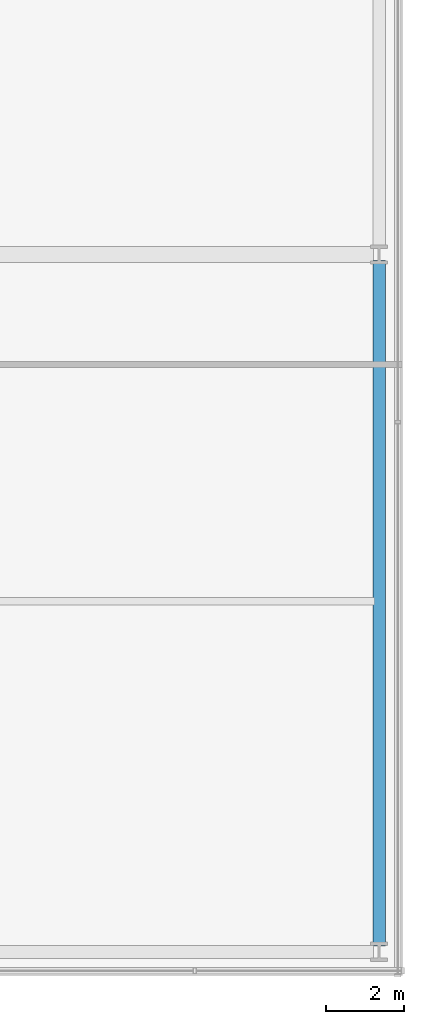
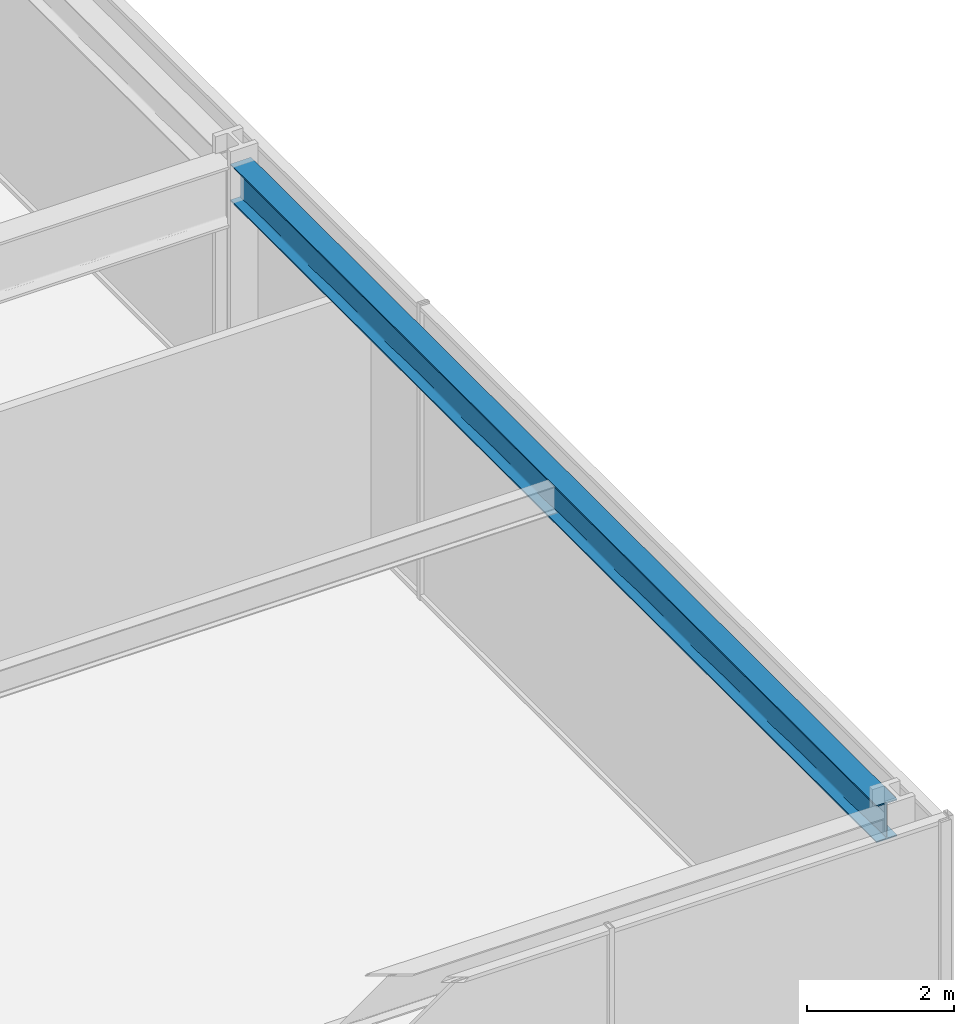
# One storey, part 23 of 49: 1 beam.
"""IFC4 building model written with IfcOpenShell, lengths in metres."""

from ifc_helpers import new_model, si_unit, direction, frame, origin, origin_2d, place, context, subcontext, project, spatial, i_section, extrude, material, material_profile, profile_set, type_object, element, save


model = new_model("IFC4")

# Units and contexts
model_context = context("Model", 3, precision=1e-05, world=origin(), true_north=direction((0.0, 1.0)))
body_context = subcontext(model_context, "Body", "Model", "MODEL_VIEW")
ifc_project = project(units=[si_unit("LENGTHUNIT", "METRE"), si_unit("AREAUNIT", "SQUARE_METRE"), si_unit("VOLUMEUNIT", "CUBIC_METRE"), si_unit("PLANEANGLEUNIT", "RADIAN"), si_unit("MASSUNIT", "GRAM", prefix="KILO")], contexts=[model_context])

# Site, building, storey
site_placement = place(None, origin())
site = spatial("IfcSite", under=ifc_project, at=site_placement, CompositionType="ELEMENT")
building_placement = place(site_placement, origin())
building = spatial("IfcBuilding", under=site, at=building_placement, Name="Kolvaren Belvedere", CompositionType="ELEMENT")
storey_placement = place(building_placement, frame((0.0, 0.0, 10.0)))
storey = spatial("IfcBuildingStorey", under=building, at=storey_placement, Name="L03", CompositionType="ELEMENT", Elevation=10.0)

# Beam
ifc_material = material(Name="Structural steel ASTM A992 Grade 50", Category="steel")
ifc_material_profile = material_profile(ifc_material, i_section(OverallWidth=0.324951171875, OverallDepth=0.615966796875, WebThickness=0.013916015625, FlangeThickness=0.021484375, FilletRadius=0.02001953125, at=origin_2d()), Name="W24X117")
ifc_profile_set = profile_set([ifc_material_profile], Name="Structural steel ASTM A992 Grade 50")
beam_type = type_object("IfcBeamType", Name="BM-SPAN-W24X117", PredefinedType="SPANDREL", material=ifc_profile_set)
beam_placement = place(storey_placement, frame((27.39990234375, -27.64990234375, 4.612060546875), z_axis=(0.0, 1.0, 0.0), x_axis=(-1.0, 0.0, 0.0)))
element("IfcBeam", 1, at=beam_placement, inside=storey, type_object=beam_type, Name="L03 E Podium Spandrel 1", PredefinedType="SPANDREL", context=body_context, shape_type="SweptSolid", body=[
    extrude(i_section(OverallWidth=0.324951171875, OverallDepth=0.615966796875, WebThickness=0.013916015625, FlangeThickness=0.021484375, FilletRadius=0.02001953125, at=origin_2d()), origin(), (0.0, 0.0, 1.0), 17.599853515625),
])

save(model, "model.ifc")
